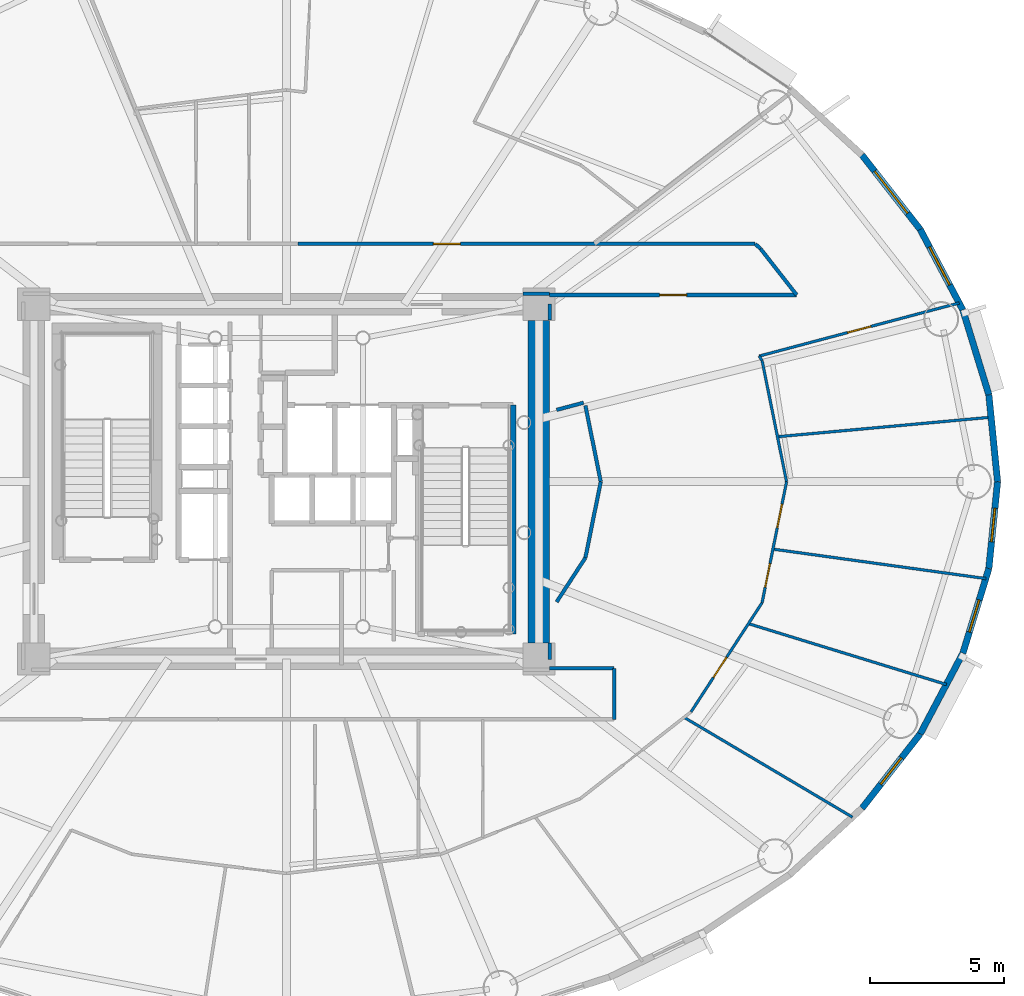
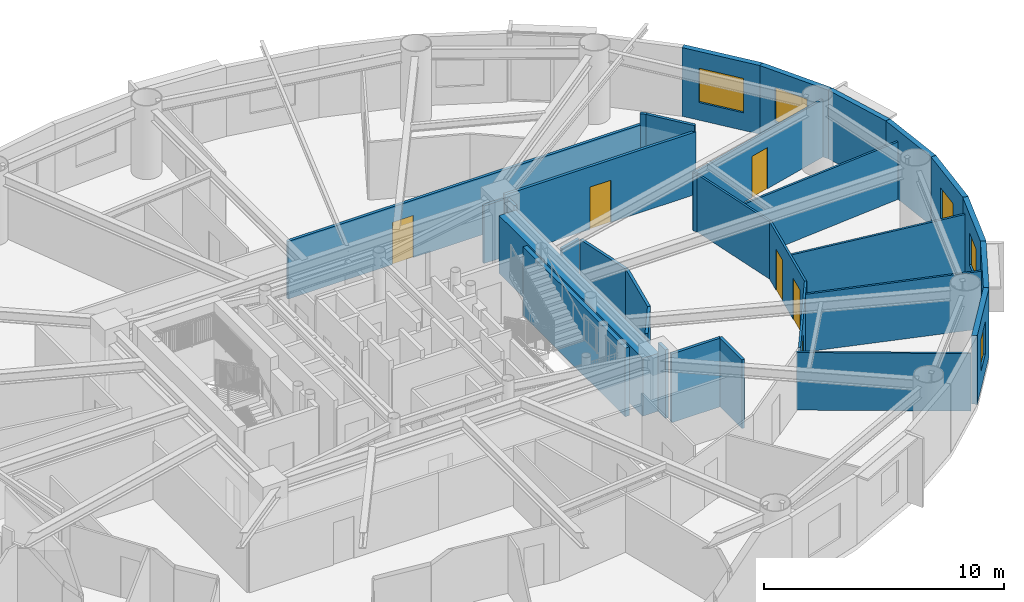
# One storey, part 10 of 18: 32 walls, 6 doors, 5 windows, 11 openings.
"""IFC4 building model written with IfcOpenShell, lengths in metres."""

from ifc_helpers import new_model, si_unit, direction, frame, frame_2d, origin, origin_2d, place, context, subcontext, project, spatial, rectangle, extrude, source, transform, mapped, material, layer, layer_set, type_object, element, fill, save


model = new_model("IFC4")

# Units and contexts
model_context = context("Model", 3, precision=1e-05, world=origin(), true_north=direction((0.0, 1.0)))
body_context = subcontext(model_context, "Body", "Model", "MODEL_VIEW")
ifc_project = project(units=[si_unit("LENGTHUNIT", "METRE"), si_unit("AREAUNIT", "SQUARE_METRE"), si_unit("VOLUMEUNIT", "CUBIC_METRE"), si_unit("PLANEANGLEUNIT", "RADIAN"), si_unit("MASSUNIT", "GRAM", prefix="KILO")], contexts=[model_context])

# Site, building, storey
site_placement = place(None, origin())
site = spatial("IfcSite", under=ifc_project, at=site_placement, CompositionType="ELEMENT")
building_placement = place(site_placement, origin())
building = spatial("IfcBuilding", under=site, at=building_placement, Name="Linh Dai School and Residence Tower", CompositionType="ELEMENT")
storey_placement = place(building_placement, frame((0.0, 0.0, 186.14990234375)))
storey = spatial("IfcBuildingStorey", under=building, at=storey_placement, Name="L45", CompositionType="ELEMENT", Elevation=186.14990234375)

# Walls
ifc_material_1 = material(Name="Precast Concrete B45 (C35/45)", Category="concrete")
ifc_layer_1 = layer(ifc_material_1, 0.239990234375)
ifc_layer_set_1 = layer_set([ifc_layer_1], Name="Precast Concrete B45 (C35/45)")
wall_type_1 = type_object("IfcWallType", Name="EW-TC-240", PredefinedType="SOLIDWALL", material=ifc_layer_set_1)
wall_1_placement = place(storey_placement, frame((62.14990234375, 30.233642578125, 0.0), z_axis=(0.0, 0.0, 1.0), x_axis=(0.100061534614, -0.994981250723, 0.0)))
element("IfcWall", 1, at=wall_1_placement, inside=storey, type_object=wall_type_1, Name="L45 Terracotta Exterior Wall 01", PredefinedType="SOLIDWALL", context=body_context, shape_type="SweptSolid", body=[
    extrude(rectangle(XDim=3.25, YDim=0.239990234375, at=frame_2d((1.625, 0.0))), origin(), (0.0, 0.0, 1.0), 3.5),
])
wall_2_placement = place(storey_placement, frame((61.1826171875, 33.388916015625, 0.0), z_axis=(0.0, 0.0, 1.0), x_axis=(0.293097995113, -0.956082405058, 0.0)))
element("IfcWall", 2, at=wall_2_placement, inside=storey, type_object=wall_type_1, Name="L45 Terracotta Exterior Wall 02", PredefinedType="SOLIDWALL", context=body_context, shape_type="SweptSolid", body=[
    extrude(rectangle(XDim=3.30029296875, YDim=0.239990234375, at=frame_2d((1.650146484375, 0.0))), origin(), (0.0, 0.0, 1.0), 3.5),
])

# Wall, opening, window
wall_3_placement = place(storey_placement, frame((59.595947265625, 36.388427734375, 0.0), z_axis=(0.0, 0.0, 1.0), x_axis=(0.467586874938, -0.88394712194, 0.0)))
wall_3 = element("IfcWall", 3, at=wall_3_placement, inside=storey, type_object=wall_type_1, Name="L45 Terracotta Exterior Wall 03", PredefinedType="SOLIDWALL", context=body_context, shape_type="SweptSolid", body=[
    extrude(rectangle(XDim=3.393310546875, YDim=0.239990234375, at=frame_2d((1.69677734375, 0.0))), origin(), (0.0, 0.0, 1.0), 3.5),
])
opening_1_placement = place(wall_3_placement, frame((0.7392578125, 0.0, 0.89990234375)))
opening_1 = element("IfcOpeningElement", 4, at=opening_1_placement, cuts=wall_3, Name="Opening W2", PredefinedType="OPENING", context=body_context, shape_type="SweptSolid", body=[
    extrude(rectangle(XDim=1.60009765625, YDim=1.75, at=origin_2d()), frame((0.800048828125, 0.1298828125, 0.875), z_axis=(0.0, -1.0, 0.0), x_axis=(1.0, 0.0, 0.0)), (0.0, 0.0, 1.0), 0.260009765625),
])
ifc_material_2 = material(Name="Double Low-E Insulated Glazing", Category="glass")
window_type_1 = type_object("IfcWindowType", Name="WN-RES-1600x1750", PartitioningType="DOUBLE_PANEL_VERTICAL", PredefinedType="WINDOW", material=ifc_material_2)
shared_shape_1 = source(origin(), body_context, "Body", "SweptSolid", [
    extrude(rectangle(XDim=1.60009765625, YDim=1.75, at=origin_2d()), frame((0.800048828125, 0.030029296875, 0.875), z_axis=(0.0, -1.0, 0.0), x_axis=(1.0, 0.0, 0.0)), (0.0, 0.0, 1.0), 0.06005859375),
])
window_1_placement = place(opening_1_placement, origin())
window_1 = element("IfcWindow", 5, at=window_1_placement, inside=storey, type_object=window_type_1, Name="L45 Exterior Window 03.1", OverallHeight=1.75, OverallWidth=1.60009765625, PartitioningType="DOUBLE_PANEL_VERTICAL", PredefinedType="WINDOW", context=body_context, shape_type="MappedRepresentation", body=[
    mapped(shared_shape_1, transform((0.0, 0.0, 0.0), x_axis=(1.0, 0.0, 0.0), y_axis=(0.0, 1.0, 0.0), z_axis=(0.0, 0.0, 1.0), scale=1.0)),
])
fill(opening_1, window_1)

wall_4_placement = place(storey_placement, frame((57.42822265625, 39.158447265625, 0.0), z_axis=(0.0, 0.0, 1.0), x_axis=(0.616287674549, -0.787521112224, 0.0)))
wall_4 = element("IfcWall", 6, at=wall_4_placement, inside=storey, type_object=wall_type_1, Name="L45 Terracotta Exterior Wall 04", PredefinedType="SOLIDWALL", context=body_context, shape_type="SweptSolid", body=[
    extrude(rectangle(XDim=3.517333984375, YDim=0.239990234375, at=frame_2d((1.7587890625, 0.0))), origin(), (0.0, 0.0, 1.0), 3.5),
])
opening_2_placement = place(wall_4_placement, frame((0.758544921875, 0.0, 0.89990234375)))
opening_2 = element("IfcOpeningElement", 7, at=opening_2_placement, cuts=wall_4, Name="Opening W1", PredefinedType="OPENING", context=body_context, shape_type="SweptSolid", body=[
    extrude(rectangle(XDim=2.0, YDim=1.75, at=origin_2d()), frame((1.0, 0.1298828125, 0.875), z_axis=(0.0, -1.0, 0.0), x_axis=(1.0, 0.0, 0.0)), (0.0, 0.0, 1.0), 0.260009765625),
])
window_type_2 = type_object("IfcWindowType", Name="WN-RES-2000x1750", PartitioningType="DOUBLE_PANEL_VERTICAL", PredefinedType="WINDOW", material=ifc_material_2)
shared_shape_2 = source(origin(), body_context, "Body", "SweptSolid", [
    extrude(rectangle(XDim=2.0, YDim=1.75, at=origin_2d()), frame((1.0, 0.030029296875, 0.875), z_axis=(0.0, -1.0, 0.0), x_axis=(1.0, 0.0, 0.0)), (0.0, 0.0, 1.0), 0.06005859375),
])
window_2_placement = place(opening_2_placement, origin())
window_2 = element("IfcWindow", 8, at=window_2_placement, inside=storey, type_object=window_type_2, Name="L45 Exterior Window 04.1", OverallHeight=1.75, OverallWidth=2.0, PartitioningType="DOUBLE_PANEL_VERTICAL", PredefinedType="WINDOW", context=body_context, shape_type="MappedRepresentation", body=[
    mapped(shared_shape_2, transform((0.0, 0.0, 0.0), x_axis=(1.0, 0.0, 0.0), y_axis=(0.0, 1.0, 0.0), z_axis=(0.0, 0.0, 1.0), scale=1.0)),
])
fill(opening_2, window_2)

wall_5_placement = place(storey_placement, frame((59.595947265625, 17.611572265625, 0.0), z_axis=(0.0, 0.0, 1.0), x_axis=(-0.616287674549, -0.787521112224, 0.0)))
wall_5 = element("IfcWall", 9, at=wall_5_placement, inside=storey, type_object=wall_type_1, Name="L45 Terracotta Exterior Wall 37", PredefinedType="SOLIDWALL", context=body_context, shape_type="SweptSolid", body=[
    extrude(rectangle(XDim=3.517333984375, YDim=0.239990234375, at=frame_2d((1.7587890625, 0.0))), origin(), (0.0, 0.0, 1.0), 3.5),
])
opening_3_placement = place(wall_5_placement, frame((1.1337890625, 0.0, 0.89990234375)))
opening_3 = element("IfcOpeningElement", 10, at=opening_3_placement, cuts=wall_5, Name="Opening W3", PredefinedType="OPENING", context=body_context, shape_type="SweptSolid", body=[
    extrude(rectangle(XDim=1.25, YDim=1.64990234375, at=origin_2d()), frame((0.625, 0.1298828125, 0.824951171875), z_axis=(0.0, -1.0, 0.0), x_axis=(1.0, 0.0, 0.0)), (0.0, 0.0, 1.0), 0.260009765625),
])
window_type_3 = type_object("IfcWindowType", Name="WN-RES-1250x1650", PartitioningType="SINGLE_PANEL", PredefinedType="WINDOW", material=ifc_material_2)
shared_shape_3 = source(origin(), body_context, "Body", "SweptSolid", [
    extrude(rectangle(XDim=1.25, YDim=1.64990234375, at=origin_2d()), frame((0.625, 0.030029296875, 0.824951171875), z_axis=(0.0, -1.0, 0.0), x_axis=(1.0, 0.0, 0.0)), (0.0, 0.0, 1.0), 0.06005859375),
])
window_3_placement = place(opening_3_placement, origin())
window_3 = element("IfcWindow", 11, at=window_3_placement, inside=storey, type_object=window_type_3, Name="L45 Dwelling Window U4502-BD3", OverallHeight=1.64990234375, OverallWidth=1.25, PartitioningType="SINGLE_PANEL", PredefinedType="WINDOW", context=body_context, shape_type="MappedRepresentation", body=[
    mapped(shared_shape_3, transform((0.0, 0.0, 0.0), x_axis=(1.0, 0.0, 0.0), y_axis=(0.0, 1.0, 0.0), z_axis=(0.0, 0.0, 1.0), scale=1.0)),
])
fill(opening_3, window_3)

# Wall
wall_6_placement = place(storey_placement, frame((61.1826171875, 20.611083984375, 0.0), z_axis=(0.0, 0.0, 1.0), x_axis=(-0.467586874938, -0.88394712194, 0.0)))
element("IfcWall", 12, at=wall_6_placement, inside=storey, type_object=wall_type_1, Name="L45 Terracotta Exterior Wall 38", PredefinedType="SOLIDWALL", context=body_context, shape_type="SweptSolid", body=[
    extrude(rectangle(XDim=3.393310546875, YDim=0.239990234375, at=frame_2d((1.69677734375, 0.0))), origin(), (0.0, 0.0, 1.0), 3.5),
])

# Wall, opening, window
wall_7_placement = place(storey_placement, frame((62.14990234375, 23.766357421875, 0.0), z_axis=(0.0, 0.0, 1.0), x_axis=(-0.293097995113, -0.956082405058, 0.0)))
wall_7 = element("IfcWall", 13, at=wall_7_placement, inside=storey, type_object=wall_type_1, Name="L45 Terracotta Exterior Wall 39", PredefinedType="SOLIDWALL", context=body_context, shape_type="SweptSolid", body=[
    extrude(rectangle(XDim=3.30029296875, YDim=0.239990234375, at=frame_2d((1.650146484375, 0.0))), origin(), (0.0, 0.0, 1.0), 3.5),
])
opening_4_placement = place(wall_7_placement, frame((1.224609375, 0.0, 0.89990234375)))
opening_4 = element("IfcOpeningElement", 14, at=opening_4_placement, cuts=wall_7, Name="Opening W3", PredefinedType="OPENING", context=body_context, shape_type="SweptSolid", body=[
    extrude(rectangle(XDim=1.25, YDim=1.64990234375, at=origin_2d()), frame((0.625, 0.1298828125, 0.824951171875), z_axis=(0.0, -1.0, 0.0), x_axis=(1.0, 0.0, 0.0)), (0.0, 0.0, 1.0), 0.260009765625),
])
window_4_placement = place(opening_4_placement, origin())
window_4 = element("IfcWindow", 15, at=window_4_placement, inside=storey, type_object=window_type_3, Name="L45 Exterior Window 39.1", OverallHeight=1.64990234375, OverallWidth=1.25, PartitioningType="SINGLE_PANEL", PredefinedType="WINDOW", context=body_context, shape_type="MappedRepresentation", body=[
    mapped(shared_shape_3, transform((0.0, 0.0, 0.0), x_axis=(1.0, 0.0, 0.0), y_axis=(0.0, 1.0, 0.0), z_axis=(0.0, 0.0, 1.0), scale=1.0)),
])
fill(opening_4, window_4)

wall_8_placement = place(storey_placement, frame((62.47509765625, 27.0, 0.0), z_axis=(0.0, 0.0, 1.0), x_axis=(-0.100061534614, -0.994981250723, 0.0)))
wall_8 = element("IfcWall", 16, at=wall_8_placement, inside=storey, type_object=wall_type_1, Name="L45 Terracotta Exterior Wall 40", PredefinedType="SOLIDWALL", context=body_context, shape_type="SweptSolid", body=[
    extrude(rectangle(XDim=3.25, YDim=0.239990234375, at=frame_2d((1.625, 0.0))), origin(), (0.0, 0.0, 1.0), 3.5),
])
opening_5_placement = place(wall_8_placement, frame((1.0, 0.0, 0.89990234375)))
opening_5 = element("IfcOpeningElement", 17, at=opening_5_placement, cuts=wall_8, Name="Opening W3", PredefinedType="OPENING", context=body_context, shape_type="SweptSolid", body=[
    extrude(rectangle(XDim=1.25, YDim=1.64990234375, at=origin_2d()), frame((0.625, 0.1298828125, 0.824951171875), z_axis=(0.0, -1.0, 0.0), x_axis=(1.0, 0.0, 0.0)), (0.0, 0.0, 1.0), 0.260009765625),
])
window_5_placement = place(opening_5_placement, origin())
window_5 = element("IfcWindow", 18, at=window_5_placement, inside=storey, type_object=window_type_3, Name="L45 Dwelling Window U4502-BD4", OverallHeight=1.64990234375, OverallWidth=1.25, PartitioningType="SINGLE_PANEL", PredefinedType="WINDOW", context=body_context, shape_type="MappedRepresentation", body=[
    mapped(shared_shape_3, transform((0.0, 0.0, 0.0), x_axis=(1.0, 0.0, 0.0), y_axis=(0.0, 1.0, 0.0), z_axis=(0.0, 0.0, 1.0), scale=1.0)),
])
fill(opening_5, window_5)

# Wall, opening, door
ifc_material_3 = material(Name="Autoclaved Aerated Concrete Blockwork", Category="masonry")
ifc_layer_2 = layer(ifc_material_3, 0.135009765625)
ifc_layer_set_2 = layer_set([ifc_layer_2], Name="Autoclaved Aerated Concrete Blockwork")
wall_type_2 = type_object("IfcWallType", Name="IW-CORR-135-EI90", PredefinedType="PARTITIONING", material=ifc_layer_set_2)
wall_9_placement = place(storey_placement, frame((36.430908203125, 35.85009765625, 0.0), z_axis=(0.0, 0.0, 1.0), x_axis=(1.0, 0.0, 0.0)))
wall_9 = element("IfcWall", 19, at=wall_9_placement, inside=storey, type_object=wall_type_2, Name="L45 Interior Partition Wall 056", PredefinedType="PARTITIONING", context=body_context, shape_type="SweptSolid", body=[
    extrude(rectangle(XDim=17.02294921875, YDim=0.135009765625, at=frame_2d((8.511474609375, 0.0))), origin(), (0.0, 0.0, 1.0), 2.93505859375),
])
opening_6_placement = place(wall_9_placement, frame((5.04248046875, 0.0, 0.0)))
opening_6 = element("IfcOpeningElement", 20, at=opening_6_placement, cuts=wall_9, Name="Opening D03", PredefinedType="OPENING", context=body_context, shape_type="SweptSolid", body=[
    extrude(rectangle(XDim=1.0, YDim=2.14990234375, at=origin_2d()), frame((0.5, 0.07763671875, 1.074951171875), z_axis=(0.0, -1.0, 0.0), x_axis=(1.0, 0.0, 0.0)), (0.0, 0.0, 1.0), 0.155029296875),
])
ifc_material_4 = material(Name="Fire-Rated Solid Timber Entrance Door", Category="wood")
door_type_1 = type_object("IfcDoorType", Name="DR-FLAT-1000x2150-FD60S", OperationType="NOTDEFINED", PredefinedType="DOOR", material=ifc_material_4)
shared_shape_4 = source(origin(), body_context, "Body", "SweptSolid", [
    extrude(rectangle(XDim=1.0, YDim=2.14990234375, at=origin_2d()), frame((0.5, 0.02490234375, 1.074951171875), z_axis=(0.0, -1.0, 0.0), x_axis=(1.0, 0.0, 0.0)), (0.0, 0.0, 1.0), 0.050048828125),
])
door_1_placement = place(opening_6_placement, origin())
door_1 = element("IfcDoor", 21, at=door_1_placement, inside=storey, type_object=door_type_1, Name="L45 U4503 Apartment Entrance Door", OperationType="SINGLE_SWING_LEFT", OverallHeight=2.14990234375, OverallWidth=1.0, PredefinedType="DOOR", context=body_context, shape_type="MappedRepresentation", body=[
    mapped(shared_shape_4, transform((0.0, 0.0, 0.0), x_axis=(1.0, 0.0, 0.0), y_axis=(0.0, 1.0, 0.0), z_axis=(0.0, 0.0, 1.0), scale=1.0)),
])
fill(opening_6, door_1)

# Wall
wall_10_placement = place(storey_placement, frame((45.800048828125, 20.050048828125, 0.0), z_axis=(0.0, 0.0, 1.0), x_axis=(1.0, 0.0, 0.0)))
element("IfcWall", 22, at=wall_10_placement, inside=storey, type_object=wall_type_2, Name="L45 Interior Partition Wall 079", PredefinedType="PARTITIONING", context=body_context, shape_type="SweptSolid", body=[
    extrude(rectangle(XDim=2.39990234375, YDim=0.135009765625, at=frame_2d((1.199951171875, 0.0))), origin(), (0.0, 0.0, 1.0), 3.5),
])

# Wall, opening, door
wall_11_placement = place(storey_placement, frame((45.800048828125, 33.949951171875, 0.0), z_axis=(0.0, 0.0, 1.0), x_axis=(1.0, 0.0, 0.0)))
wall_11 = element("IfcWall", 23, at=wall_11_placement, inside=storey, type_object=wall_type_2, Name="L45 Interior Partition Wall 080", PredefinedType="PARTITIONING", context=body_context, shape_type="SweptSolid", body=[
    extrude(rectangle(XDim=9.197021484375, YDim=0.135009765625, at=frame_2d((4.5986328125, 0.0))), origin(), (0.0, 0.0, 1.0), 3.18505859375),
])
opening_7_placement = place(wall_11_placement, frame((4.098388671875, 0.0, 0.0)))
opening_7 = element("IfcOpeningElement", 24, at=opening_7_placement, cuts=wall_11, Name="Opening D03", PredefinedType="OPENING", context=body_context, shape_type="SweptSolid", body=[
    extrude(rectangle(XDim=1.0, YDim=2.14990234375, at=origin_2d()), frame((0.5, 0.07763671875, 1.074951171875), z_axis=(0.0, -1.0, 0.0), x_axis=(1.0, 0.0, 0.0)), (0.0, 0.0, 1.0), 0.155029296875),
])
door_2_placement = place(opening_7_placement, origin())
door_2 = element("IfcDoor", 25, at=door_2_placement, inside=storey, type_object=door_type_1, Name="L45 U4502 Apartment Entrance Door", OperationType="SINGLE_SWING_RIGHT", OverallHeight=2.14990234375, OverallWidth=1.0, PredefinedType="DOOR", context=body_context, shape_type="MappedRepresentation", body=[
    mapped(shared_shape_4, transform((0.0, 0.0, 0.0), x_axis=(1.0, 0.0, 0.0), y_axis=(0.0, 1.0, 0.0), z_axis=(0.0, 0.0, 1.0), scale=1.0)),
])
fill(opening_7, door_2)

# Walls
wall_12_placement = place(storey_placement, frame((48.199951171875, 18.14990234375, 0.0), z_axis=(0.0, 0.0, 1.0), x_axis=(0.0, 1.0, 0.0)))
element("IfcWall", 26, at=wall_12_placement, inside=storey, type_object=wall_type_2, Name="L45 Interior Partition Wall 084", PredefinedType="PARTITIONING", context=body_context, shape_type="SweptSolid", body=[
    extrude(rectangle(XDim=1.900146484375, YDim=0.135009765625, at=frame_2d((0.9501953125, 0.0))), origin(), (0.0, 0.0, 1.0), 3.5),
])
wall_13_placement = place(storey_placement, frame((53.453857421875, 35.85009765625, 0.0), z_axis=(0.0, 0.0, 1.0), x_axis=(0.736667385572, -0.676255249913, 0.0)))
element("IfcWall", 27, at=wall_13_placement, inside=storey, type_object=wall_type_2, Name="L45 Interior Partition Wall 088", PredefinedType="PARTITIONING", context=body_context, shape_type="SweptSolid", body=[
    extrude(rectangle(XDim=0.270751953125, YDim=0.135009765625, at=frame_2d((0.13525390625, 0.0))), origin(), (0.0, 0.0, 1.0), 3.5),
])
wall_14_placement = place(storey_placement, frame((53.6533203125, 35.6669921875, 0.0), z_axis=(0.0, 0.0, 1.0), x_axis=(0.616302223209, -0.787509726713, 0.0)))
element("IfcWall", 28, at=wall_14_placement, inside=storey, type_object=wall_type_2, Name="L45 Interior Partition Wall 091", PredefinedType="PARTITIONING", context=body_context, shape_type="SweptSolid", body=[
    extrude(rectangle(XDim=2.180419921875, YDim=0.135009765625, at=frame_2d((1.09033203125, 0.0))), origin(), (0.0, 0.0, 1.0), 3.5),
])
wall_15_placement = place(storey_placement, frame((45.7900390625, 34.0, 0.0), z_axis=(0.0, 0.0, 1.0), x_axis=(-1.0, 0.0, 0.0)))
element("IfcWall", 29, at=wall_15_placement, inside=storey, type_object=wall_type_2, Name="L45 Interior Partition Wall 103", PredefinedType="PARTITIONING", context=body_context, shape_type="SweptSolid", body=[
    extrude(rectangle(XDim=0.97998046875, YDim=0.135009765625, at=frame_2d((0.489990234375, 0.0))), origin(), (0.0, 0.0, 1.0), 2.93505859375),
])
wall_16_placement = place(storey_placement, frame((45.800048828125, 20.37744140625, 0.0), z_axis=(0.0, 0.0, 1.0), x_axis=(0.0, 1.0, 0.0)))
element("IfcWall", 30, at=wall_16_placement, inside=storey, type_object=wall_type_2, Name="L45 Interior Partition Wall 114", PredefinedType="PARTITIONING", context=body_context, shape_type="SweptSolid", body=[
    extrude(rectangle(XDim=0.612548828125, YDim=0.135009765625, at=frame_2d((0.30615234375, 0.0))), origin(), (0.0, 0.0, 1.0), 3.5),
])
wall_17_placement = place(storey_placement, frame((46.06005859375, 22.521484375, 0.0), z_axis=(0.0, 0.0, 1.0), x_axis=(0.545342221334, 0.838213494064, 0.0)))
element("IfcWall", 31, at=wall_17_placement, inside=storey, type_object=wall_type_2, Name="L45 Interior Partition Wall 115", PredefinedType="PARTITIONING", context=body_context, shape_type="SweptSolid", body=[
    extrude(rectangle(XDim=1.9638671875, YDim=0.135009765625, at=frame_2d((0.98193359375, 0.0))), origin(), (0.0, 0.0, 1.0), 2.93505859375),
])
for number, where, z_axis, x_axis, name in (
    (32, (47.131103515625, 24.167724609375, 0.0), (0.0, 0.0, 1.0), (0.198292837027, 0.980142821625, 0.0), "L45 Interior Partition Wall 116"),
    (33, (47.7041015625, 27.0, 0.0), (0.0, 0.0, 1.0), (-0.198292837027, 0.980142821625, 0.0), "L45 Interior Partition Wall 117"),
):
    element("IfcWall", number, at=place(storey_placement, frame(where, z_axis=z_axis, x_axis=x_axis)), inside=storey, type_object=wall_type_2, Name=name, PredefinedType="PARTITIONING", context=body_context, shape_type="SweptSolid", body=[
        extrude(rectangle(XDim=2.8896484375, YDim=0.135009765625, at=frame_2d((1.44482421875, 0.0))), origin(), (0.0, 0.0, 1.0), 2.93505859375),
    ])
wall_18_placement = place(storey_placement, frame((47.062255859375, 29.938232421875, 0.0), z_axis=(0.0, 0.0, 1.0), x_axis=(-0.966449520919, -0.256856620541, 0.0)))
element("IfcWall", 34, at=wall_18_placement, inside=storey, type_object=wall_type_2, Name="L45 Interior Partition Wall 118", PredefinedType="PARTITIONING", context=body_context, shape_type="SweptSolid", body=[
    extrude(rectangle(XDim=1.037109375, YDim=0.135009765625, at=frame_2d((0.5185546875, 0.0))), origin(), (0.0, 0.0, 1.0), 2.93505859375),
])
wall_19_placement = place(storey_placement, frame((45.800048828125, 33.010009765625, 0.0), z_axis=(0.0, 0.0, 1.0), x_axis=(0.0, 1.0, 0.0)))
element("IfcWall", 35, at=wall_19_placement, inside=storey, type_object=wall_type_2, Name="L45 Interior Partition Wall 119", PredefinedType="PARTITIONING", context=body_context, shape_type="SweptSolid", body=[
    extrude(rectangle(XDim=0.612548828125, YDim=0.135009765625, at=frame_2d((0.30615234375, 0.0))), origin(), (0.0, 0.0, 1.0), 3.18505859375),
])
ifc_material_5 = material(Name="Concrete B45 (C35/45)", Category="concrete")
ifc_layer_3 = layer(ifc_material_5, 0.199951171875)
ifc_layer_set_3 = layer_set([ifc_layer_3], Name="Concrete B45 (C35/45)")
wall_type_3 = type_object("IfcWallType", Name="IW-SHAFT-200-EI120", PredefinedType="PARTITIONING", material=ifc_layer_set_3)
wall_20_placement = place(storey_placement, frame((44.43994140625, 21.330078125, 0.0), z_axis=(0.0, 0.0, 1.0), x_axis=(0.0, 1.0, 0.0)))
element("IfcWall", 36, at=wall_20_placement, inside=storey, type_object=wall_type_3, Name="L45 Interior Partition Wall 077", PredefinedType="PARTITIONING", context=body_context, shape_type="SweptSolid", body=[
    extrude(rectangle(XDim=8.52001953125, YDim=0.199951171875, at=frame_2d((4.260009765625, 0.0))), origin(), (0.0, 0.0, 1.0), 3.5),
])
ifc_material_6 = material(Name="Gypsum Plasterboard Acoustic Stud Partition", Category="masonry")
ifc_layer_4 = layer(ifc_material_6, 0.10009765625)
ifc_layer_set_4 = layer_set([ifc_layer_4], Name="Gypsum Plasterboard Acoustic Stud Partition")
wall_type_4 = type_object("IfcWallType", Name="IW-UNIT-100", PredefinedType="PARTITIONING", material=ifc_layer_set_4)
wall_21_placement = place(storey_placement, frame((50.80419921875, 18.22607421875, 0.0), z_axis=(0.0, 0.0, 1.0), x_axis=(0.860276297954, -0.509828099636, 0.0)))
element("IfcWall", 37, at=wall_21_placement, inside=storey, type_object=wall_type_4, Name="L45 Interior Partition Wall 085", PredefinedType="PARTITIONING", context=body_context, shape_type="SweptSolid", body=[
    extrude(rectangle(XDim=7.288330078125, YDim=0.10009765625, at=frame_2d((3.64404296875, 0.0))), origin(), (0.0, 0.0, 1.0), 2.93505859375),
])

# Wall, opening, door
wall_22_placement = place(storey_placement, frame((51.06396484375, 18.429443359375, 0.0), z_axis=(0.0, 0.0, 1.0), x_axis=(0.545382906853, 0.838187022634, 0.0)))
wall_22 = element("IfcWall", 38, at=wall_22_placement, inside=storey, type_object=wall_type_4, Name="L45 Interior Partition Wall 086", PredefinedType="PARTITIONING", context=body_context, shape_type="SweptSolid", body=[
    extrude(rectangle(XDim=4.849365234375, YDim=0.10009765625, at=frame_2d((2.4248046875, 0.0))), origin(), (0.0, 0.0, 1.0), 2.93505859375),
])
opening_8_placement = place(wall_22_placement, frame((1.529296875, 0.0, 0.0)))
opening_8 = element("IfcOpeningElement", 39, at=opening_8_placement, cuts=wall_22, Name="Opening D05", PredefinedType="OPENING", context=body_context, shape_type="SweptSolid", body=[
    extrude(rectangle(XDim=0.89990234375, YDim=2.10009765625, at=origin_2d()), frame((0.449951171875, 0.06005859375, 1.050048828125), z_axis=(0.0, -1.0, 0.0), x_axis=(1.0, 0.0, 0.0)), (0.0, 0.0, 1.0), 0.1201171875),
])
ifc_material_7 = material(Name="Engineered Timber Internal Door", Category="wood")
door_type_2 = type_object("IfcDoorType", Name="DR-INT-900x2100", OperationType="NOTDEFINED", PredefinedType="DOOR", material=ifc_material_7)
shared_shape_5 = source(origin(), body_context, "Body", "SweptSolid", [
    extrude(rectangle(XDim=0.89990234375, YDim=2.10009765625, at=origin_2d()), frame((0.449951171875, 0.02490234375, 1.050048828125), z_axis=(0.0, -1.0, 0.0), x_axis=(1.0, 0.0, 0.0)), (0.0, 0.0, 1.0), 0.050048828125),
])
door_3_placement = place(opening_8_placement, origin())
door_3 = element("IfcDoor", 40, at=door_3_placement, inside=storey, type_object=door_type_2, Name="L45 Apartment U4502 Principal Bedroom 3 Door", OperationType="SINGLE_SWING_LEFT", OverallHeight=2.10009765625, OverallWidth=0.89990234375, PredefinedType="DOOR", context=body_context, shape_type="MappedRepresentation", body=[
    mapped(shared_shape_5, transform((0.0, 0.0, 0.0), x_axis=(1.0, 0.0, 0.0), y_axis=(0.0, 1.0, 0.0), z_axis=(0.0, 0.0, 1.0), scale=1.0)),
])
fill(opening_8, door_3)

# Walls
wall_23_placement = place(storey_placement, frame((53.200927734375, 21.7138671875, 0.0), z_axis=(0.0, 0.0, 1.0), x_axis=(0.955880247412, -0.293756621386, 0.0)))
element("IfcWall", 41, at=wall_23_placement, inside=storey, type_object=wall_type_4, Name="L45 Interior Partition Wall 087", PredefinedType="PARTITIONING", context=body_context, shape_type="SweptSolid", body=[
    extrude(rectangle(XDim=7.712646484375, YDim=0.10009765625, at=frame_2d((3.8564453125, 0.0))), origin(), (0.0, 0.0, 1.0), 2.93505859375),
])
wall_24_placement = place(storey_placement, frame((53.59912109375, 31.67431640625, 0.0), z_axis=(0.0, 0.0, 1.0), x_axis=(0.545415251213, -0.838165976251, 0.0)))
element("IfcWall", 42, at=wall_24_placement, inside=storey, type_object=wall_type_4, Name="L45 Interior Partition Wall 089", PredefinedType="PARTITIONING", context=body_context, shape_type="SweptSolid", body=[
    extrude(rectangle(XDim=0.200927734375, YDim=0.10009765625, at=frame_2d((0.1005859375, 0.0))), origin(), (0.0, 0.0, 1.0), 2.93505859375),
])

# Wall, opening, door
wall_25_placement = place(storey_placement, frame((53.59912109375, 31.67431640625, 0.0), z_axis=(0.0, 0.0, 1.0), x_axis=(0.966493108364, 0.256692562193, 0.0)))
wall_25 = element("IfcWall", 43, at=wall_25_placement, inside=storey, type_object=wall_type_4, Name="L45 Interior Partition Wall 090", PredefinedType="PARTITIONING", context=body_context, shape_type="SweptSolid", body=[
    extrude(rectangle(XDim=7.707763671875, YDim=0.10009765625, at=frame_2d((3.85400390625, 0.0))), origin(), (0.0, 0.0, 1.0), 2.93505859375),
])
opening_9_placement = place(wall_25_placement, frame((3.40380859375, 0.0, 0.0)))
opening_9 = element("IfcOpeningElement", 44, at=opening_9_placement, cuts=wall_25, Name="Opening D05", PredefinedType="OPENING", context=body_context, shape_type="SweptSolid", body=[
    extrude(rectangle(XDim=0.89990234375, YDim=2.10009765625, at=origin_2d()), frame((0.449951171875, 0.06005859375, 1.050048828125), z_axis=(0.0, -1.0, 0.0), x_axis=(1.0, 0.0, 0.0)), (0.0, 0.0, 1.0), 0.1201171875),
])
door_4_placement = place(opening_9_placement, origin())
door_4 = element("IfcDoor", 45, at=door_4_placement, inside=storey, type_object=door_type_2, Name="L45 Apartment U4502 Study Door", OperationType="SINGLE_SWING_RIGHT", OverallHeight=2.10009765625, OverallWidth=0.89990234375, PredefinedType="DOOR", context=body_context, shape_type="MappedRepresentation", body=[
    mapped(shared_shape_5, transform((0.0, 0.0, 0.0), x_axis=(1.0, 0.0, 0.0), y_axis=(0.0, 1.0, 0.0), z_axis=(0.0, 0.0, 1.0), scale=1.0)),
])
fill(opening_9, door_4)

# Wall, openings, doors
wall_26_placement = place(storey_placement, frame((53.708740234375, 22.494140625, 0.0), z_axis=(0.0, 0.0, 1.0), x_axis=(0.19825018224, 0.980151450155, 0.0)))
wall_26 = element("IfcWall", 46, at=wall_26_placement, inside=storey, type_object=wall_type_4, Name="L45 Interior Partition Wall 092", PredefinedType="PARTITIONING", context=body_context, shape_type="SweptSolid", body=[
    extrude(rectangle(XDim=4.59716796875, YDim=0.10009765625, at=frame_2d((2.298583984375, 0.0))), origin(), (0.0, 0.0, 1.0), 2.93505859375),
])
opening_10_placement = place(wall_26_placement, frame((0.588134765625, 0.0, 0.0)))
opening_10 = element("IfcOpeningElement", 47, at=opening_10_placement, cuts=wall_26, Name="Opening D05", PredefinedType="OPENING", context=body_context, shape_type="SweptSolid", body=[
    extrude(rectangle(XDim=0.89990234375, YDim=2.10009765625, at=origin_2d()), frame((0.449951171875, 0.06005859375, 1.050048828125), z_axis=(0.0, -1.0, 0.0), x_axis=(1.0, 0.0, 0.0)), (0.0, 0.0, 1.0), 0.1201171875),
])
opening_11_placement = place(wall_26_placement, frame((2.8466796875, 0.0, 0.0)))
opening_11 = element("IfcOpeningElement", 48, at=opening_11_placement, cuts=wall_26, Name="Opening D05", PredefinedType="OPENING", context=body_context, shape_type="SweptSolid", body=[
    extrude(rectangle(XDim=0.89990234375, YDim=2.10009765625, at=origin_2d()), frame((0.449951171875, 0.06005859375, 1.050048828125), z_axis=(0.0, -1.0, 0.0), x_axis=(1.0, 0.0, 0.0)), (0.0, 0.0, 1.0), 0.1201171875),
])
door_5_placement = place(opening_10_placement, origin())
door_5 = element("IfcDoor", 49, at=door_5_placement, inside=storey, type_object=door_type_2, Name="L45 Apartment U4502 Study Door", OperationType="SINGLE_SWING_RIGHT", OverallHeight=2.10009765625, OverallWidth=0.89990234375, PredefinedType="DOOR", context=body_context, shape_type="MappedRepresentation", body=[
    mapped(shared_shape_5, transform((0.0, 0.0, 0.0), x_axis=(1.0, 0.0, 0.0), y_axis=(0.0, 1.0, 0.0), z_axis=(0.0, 0.0, 1.0), scale=1.0)),
])
fill(opening_10, door_5)
door_6_placement = place(opening_11_placement, origin())
door_6 = element("IfcDoor", 50, at=door_6_placement, inside=storey, type_object=door_type_2, Name="L45 Apartment U4502 Principal Bedroom 4 Door", OperationType="SINGLE_SWING_LEFT", OverallHeight=2.10009765625, OverallWidth=0.89990234375, PredefinedType="DOOR", context=body_context, shape_type="MappedRepresentation", body=[
    mapped(shared_shape_5, transform((0.0, 0.0, 0.0), x_axis=(1.0, 0.0, 0.0), y_axis=(0.0, 1.0, 0.0), z_axis=(0.0, 0.0, 1.0), scale=1.0)),
])
fill(opening_11, door_6)

# Walls
wall_27_placement = place(storey_placement, frame((53.708740234375, 31.505859375, 0.0), z_axis=(0.0, 0.0, 1.0), x_axis=(0.198209478932, -0.980159682124, 0.0)))
element("IfcWall", 51, at=wall_27_placement, inside=storey, type_object=wall_type_4, Name="L45 Interior Partition Wall 093", PredefinedType="PARTITIONING", context=body_context, shape_type="SweptSolid", body=[
    extrude(rectangle(XDim=4.596923828125, YDim=0.10009765625, at=frame_2d((2.29833984375, 0.0))), origin(), (0.0, 0.0, 1.0), 2.93505859375),
])
wall_28_placement = place(storey_placement, frame((54.1123046875, 24.489990234375, 0.0), z_axis=(0.0, 0.0, 1.0), x_axis=(0.990538514902, -0.137235019202, 0.0)))
element("IfcWall", 52, at=wall_28_placement, inside=storey, type_object=wall_type_4, Name="L45 Interior Partition Wall 094", PredefinedType="PARTITIONING", context=body_context, shape_type="SweptSolid", body=[
    extrude(rectangle(XDim=8.003662109375, YDim=0.10009765625, at=frame_2d((4.001953125, 0.0))), origin(), (0.0, 0.0, 1.0), 2.93505859375),
])
wall_29_placement = place(storey_placement, frame((54.28173828125, 28.672119140625, 0.0), z_axis=(0.0, 0.0, 1.0), x_axis=(0.995843216122, 0.091083966227, 0.0)))
element("IfcWall", 53, at=wall_29_placement, inside=storey, type_object=wall_type_4, Name="L45 Interior Partition Wall 095", PredefinedType="PARTITIONING", context=body_context, shape_type="SweptSolid", body=[
    extrude(rectangle(XDim=7.990234375, YDim=0.10009765625, at=frame_2d((3.9951171875, 0.0))), origin(), (0.0, 0.0, 1.0), 2.93505859375),
])
ifc_material_8 = material(Name="Concrete B60 (C50/60)", Category="concrete")
ifc_layer_5 = layer(ifc_material_8, 0.800048828125)
ifc_layer_set_5 = layer_set([ifc_layer_5], Name="Concrete B60 (C50/60)")
wall_type_5 = type_object("IfcWallType", Name="WL-CORE800", PredefinedType="SHEAR", material=ifc_layer_set_5)
wall_30_placement = place(storey_placement, frame((45.39990234375, 33.0, 0.0), z_axis=(0.0, 0.0, 1.0), x_axis=(0.0, -1.0, 0.0)))
element("IfcWall", 54, at=wall_30_placement, inside=storey, type_object=wall_type_5, Name="L45 Central Core Shear Wall E", PredefinedType="SHEAR", context=body_context, shape_type="SweptSolid", body=[
    extrude(rectangle(XDim=12.0, YDim=0.800048828125, at=frame_2d((6.0, 0.0))), origin(), (0.0, 0.0, 1.0), 2.9501953125),
])

save(model, "model.ifc")
